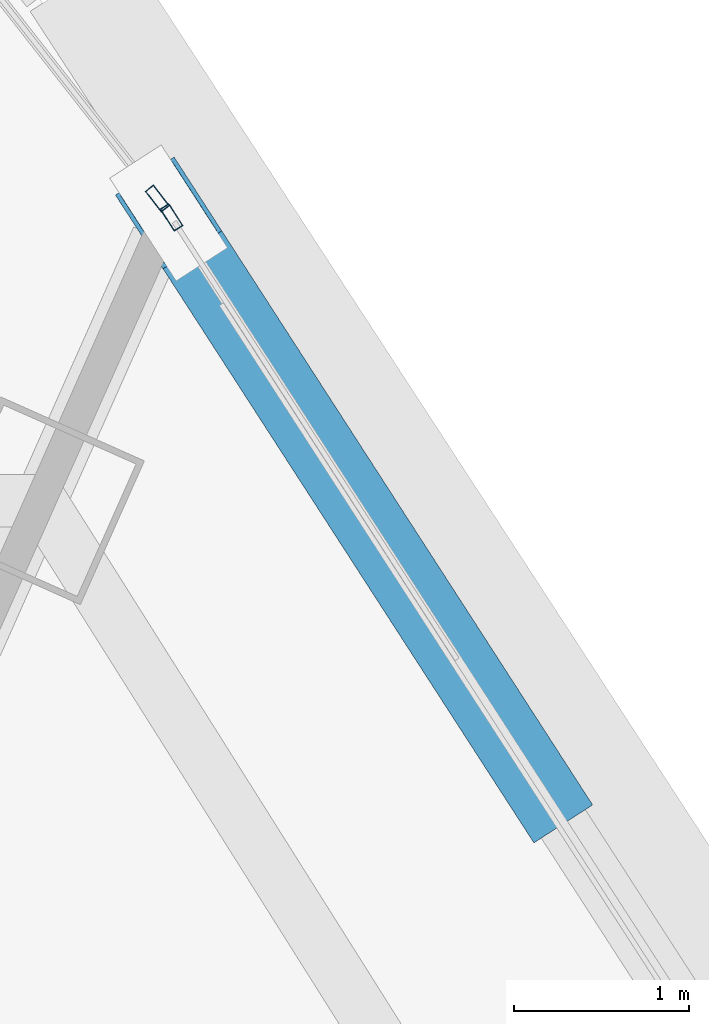
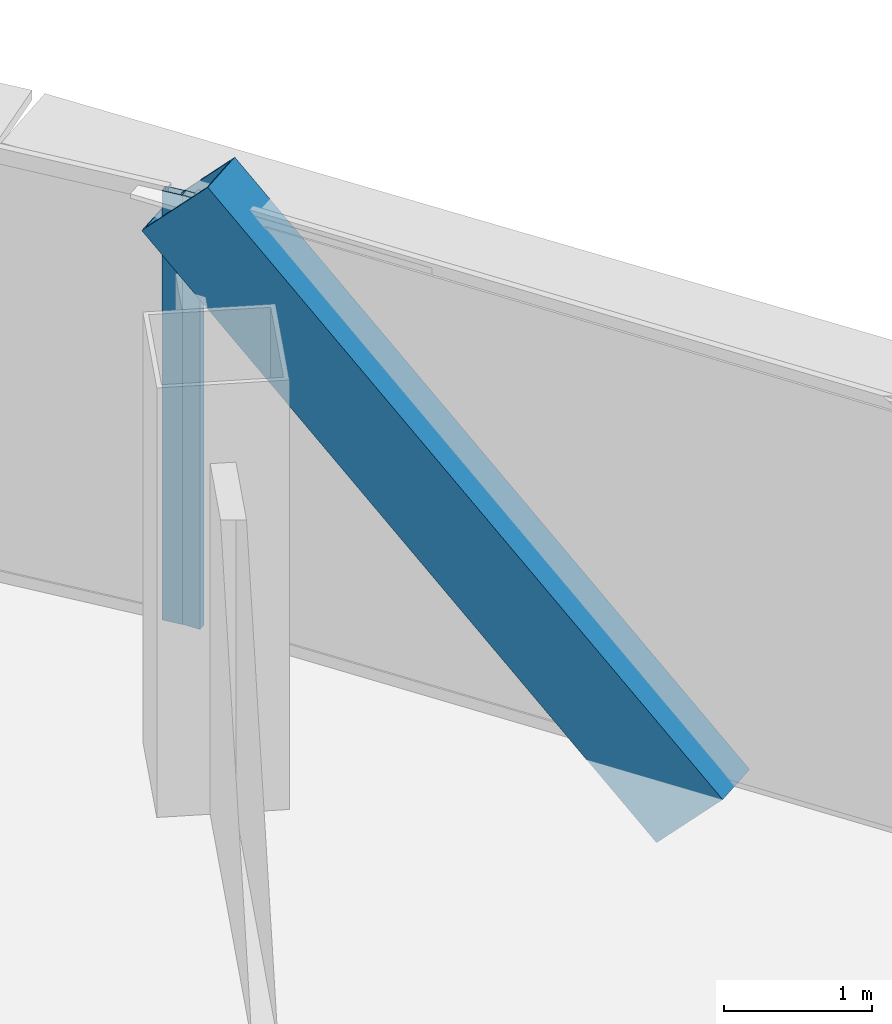
# One storey, part 22 of 38: 3 members, 2 elements without a shape of their own.
"""IFC4 building model written with IfcOpenShell, lengths in metres."""

from ifc_helpers import new_model, si_unit, direction, frame, origin, origin_2d, place, context, subcontext, project, spatial, hollow_rectangle, extrude, source, transform, mapped, material, layer, layer_set, material_profile, profile_set, type_object, element, aggregate, save


model = new_model("IFC4")

# Units and contexts
model_context = context("Model", 3, precision=1e-05, world=origin(), true_north=direction((0.0, 1.0)))
body_context = subcontext(model_context, "Body", "Model", "MODEL_VIEW")
ifc_project = project(units=[si_unit("LENGTHUNIT", "METRE"), si_unit("AREAUNIT", "SQUARE_METRE"), si_unit("VOLUMEUNIT", "CUBIC_METRE"), si_unit("PLANEANGLEUNIT", "RADIAN"), si_unit("MASSUNIT", "GRAM", prefix="KILO"), si_unit("THERMODYNAMICTEMPERATUREUNIT", "KELVIN"), si_unit("POWERUNIT", "WATT")], contexts=[model_context])

# Site, building, storey
site_placement = place(None, origin())
site = spatial("IfcSite", under=ifc_project, at=site_placement, CompositionType="ELEMENT")
building_placement = place(site_placement, origin())
building = spatial("IfcBuilding", under=site, at=building_placement, Name="Yunzhuo Pagoda Commons", CompositionType="ELEMENT")
storey_placement = place(building_placement, frame((0.0, 0.0, 203.760009765625)))
storey = spatial("IfcBuildingStorey", under=building, at=storey_placement, Name="L51", CompositionType="ELEMENT", Elevation=203.760009765625)

# Member
ifc_material_1 = material(Name="Structural steel Q355B", Category="steel")
ifc_material_profile_1 = material_profile(ifc_material_1, hollow_rectangle(XDim=0.39990234375, YDim=0.719970703125, WallThickness=0.02392578125, at=origin_2d()), Name="Structural steel Q355B")
ifc_profile_set_1 = profile_set([ifc_material_profile_1], Name="Structural steel Q355B")
member_type_1 = type_object("IfcMemberType", Name="M-DL2 Brace BOX 720x400x24", PredefinedType="BRACE", material=ifc_profile_set_1)
shared_shape_1 = source(origin(), body_context, "Body", "SweptSolid", [
    extrude(hollow_rectangle(XDim=0.39990234375, YDim=0.719970703125, WallThickness=0.02392578125, at=origin_2d()), origin(), (0.0, 0.0, 1.0), 5.45068359375),
])
member_1_placement = place(storey_placement, frame((65.552001953125, 65.077880859375, -0.260009765625), z_axis=(-0.389012502589, 0.602174333311, 0.697176695774), x_axis=(-0.839970557763, -0.542631976657, 0.0)))
element("IfcMember", 1, at=member_1_placement, inside=storey, type_object=member_type_1, Name="L51 facade diamond brace F2.3R", PredefinedType="BRACE", context=body_context, shape_type="MappedRepresentation", body=[
    mapped(shared_shape_1, transform((0.0, 0.0, 0.0), scale=1.0)),
])

# Curtain wall, member
ifc_material_2 = material(Name="Anodized aluminium 6063-T6", Category="aluminium")
ifc_layer = layer(ifc_material_2, 0.14990234375)
ifc_layer_set = layer_set([ifc_layer], Name="Anodized aluminium 6063-T6")
curtain_wall_type = type_object("IfcCurtainWallType", Name="CW-MID Mid-Zone Ribbon Curtain Wall", PredefinedType="NOTDEFINED", material=ifc_layer_set)
curtain_wall_1_placement = place(storey_placement, origin())
curtain_wall_1 = element("IfcCurtainWall", 2, at=curtain_wall_1_placement, inside=storey, type_object=curtain_wall_type, Name="L51 curtain wall CW-L51-F2B4", PredefinedType="NOTDEFINED")
ifc_material_profile_2 = material_profile(ifc_material_2, hollow_rectangle(XDim=0.06005859375, YDim=0.14990234375, WallThickness=0.00390625, at=origin_2d()), Name="Anodized aluminium 6063-T6")
ifc_profile_set_2 = profile_set([ifc_material_profile_2], Name="Anodized aluminium 6063-T6")
member_type_2 = type_object("IfcMemberType", Name="CW-MID-M Mullion RHS 150x60x4", PredefinedType="MULLION", material=ifc_profile_set_2)
shared_shape_2 = source(origin(), body_context, "Body", "SweptSolid", [
    extrude(hollow_rectangle(XDim=0.06005859375, YDim=0.14990234375, WallThickness=0.00390625, at=origin_2d()), origin(), (0.0, 0.0, 1.0), 3.5400390625),
])
member_2_placement = place(storey_placement, frame((63.447998046875, 68.3349609375, 0.0), z_axis=(0.0, 0.0, 1.0), x_axis=(-0.839965077478, -0.542640459805, 0.0)))
member_2 = element("IfcMember", 3, at=member_2_placement, type_object=member_type_2, Name="CW mullion 2", PredefinedType="MULLION", context=body_context, shape_type="MappedRepresentation", body=[
    mapped(shared_shape_2, transform((0.0, 0.0, 0.0), scale=1.0)),
])
aggregate(curtain_wall_1, [member_2])

curtain_wall_2_placement = place(storey_placement, origin())
curtain_wall_2 = element("IfcCurtainWall", 4, at=curtain_wall_2_placement, inside=storey, type_object=curtain_wall_type, Name="L51 curtain wall CW-L51-F2B5", PredefinedType="NOTDEFINED")
member_3_placement = place(storey_placement, frame((63.366943359375, 68.44287109375, 0.0), z_axis=(0.0, 0.0, 1.0), x_axis=(-0.787150021946, -0.616761577071, 0.0)))
member_3 = element("IfcMember", 5, at=member_3_placement, type_object=member_type_2, Name="CW mullion 1", PredefinedType="MULLION", context=body_context, shape_type="MappedRepresentation", body=[
    mapped(shared_shape_2, transform((0.0, 0.0, 0.0), scale=1.0)),
])
aggregate(curtain_wall_2, [member_3])

save(model, "model.ifc")
